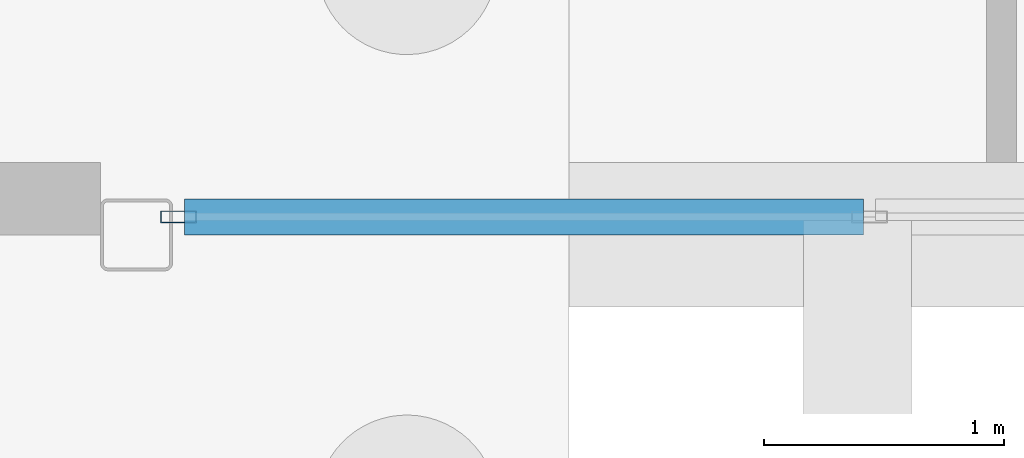
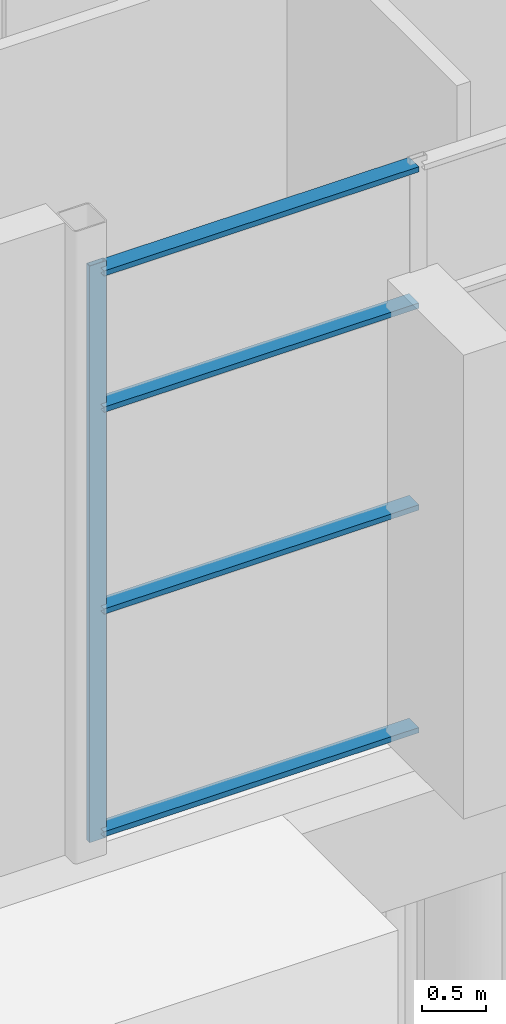
# One storey, part 38 of 139: 5 members, 1 element without a shape of its own.
"""IFC4 building model written with IfcOpenShell, lengths in metres."""

from ifc_helpers import new_model, si_unit, direction, frame, origin, origin_2d, place, context, subcontext, project, spatial, hollow_rectangle, extrude, material, layer, layer_set, material_profile, profile_set, type_object, element, aggregate, save


model = new_model("IFC4")

# Units and contexts
model_context = context("Model", 3, precision=1e-05, world=origin(), true_north=direction((0.0, 1.0)))
body_context = subcontext(model_context, "Body", "Model", "MODEL_VIEW")
ifc_project = project(units=[si_unit("LENGTHUNIT", "METRE"), si_unit("AREAUNIT", "SQUARE_METRE"), si_unit("VOLUMEUNIT", "CUBIC_METRE"), si_unit("PLANEANGLEUNIT", "RADIAN"), si_unit("MASSUNIT", "GRAM", prefix="KILO")], contexts=[model_context])

# Site, building, storey
site_placement = place(None, origin())
site = spatial("IfcSite", under=ifc_project, at=site_placement, CompositionType="ELEMENT")
building_placement = place(site_placement, origin())
building = spatial("IfcBuilding", under=site, at=building_placement, Name="Shorebreak Coast Museum", CompositionType="ELEMENT")
storey_placement = place(building_placement, origin())
storey = spatial("IfcBuildingStorey", under=building, at=storey_placement, Name="L00", CompositionType="ELEMENT", Elevation=0.0)

# Curtain wall, members
ifc_material_1 = material(Name="Aluminium", Category="aluminium")
ifc_layer = layer(ifc_material_1, 0.14990234375)
ifc_layer_set = layer_set([ifc_layer], Name="Aluminium")
curtain_wall_type = type_object("IfcCurtainWallType", Name="Storefront curtain wall", PredefinedType="NOTDEFINED", material=ifc_layer_set)
curtain_wall_placement = place(storey_placement, origin())
curtain_wall = element("IfcCurtainWall", 1, at=curtain_wall_placement, inside=storey, type_object=curtain_wall_type, Name="Storefront L00 S 7", PredefinedType="NOTDEFINED")
ifc_material_2 = material(Name="Aluminium", Category="aluminium")
ifc_material_profile_1 = material_profile(ifc_material_2, hollow_rectangle(XDim=0.050048828125, YDim=0.14990234375, WallThickness=0.00390625, at=origin_2d()), Name="AL 150x50 RHS")
ifc_profile_set_1 = profile_set([ifc_material_profile_1], Name="Aluminium")
member_type_1 = type_object("IfcMemberType", Name="Storefront mullion 50 x 150", PredefinedType="MULLION", material=ifc_profile_set_1)
member_1_placement = place(storey_placement, frame((9.175048828125, 54.074951171875, 0.0), z_axis=(0.0, 0.0, 1.0), x_axis=(0.0, 1.0, 0.0)))
member_1 = element("IfcMember", 2, at=member_1_placement, type_object=member_type_1, Name="CW8 mullion 1", PredefinedType="MULLION", context=body_context, shape_type="SweptSolid", body=[
    extrude(hollow_rectangle(XDim=0.050048828125, YDim=0.14990234375, WallThickness=0.00390625, at=origin_2d()), origin(), (0.0, 0.0, 1.0), 5.469482421875),
])
ifc_material_3 = material(Name="Aluminium", Category="aluminium")
ifc_material_profile_2 = material_profile(ifc_material_3, hollow_rectangle(XDim=0.14990234375, YDim=0.050048828125, WallThickness=0.00390625, at=origin_2d()), Name="AL 50x150 RHS")
ifc_profile_set_2 = profile_set([ifc_material_profile_2], Name="Aluminium")
member_type_2 = type_object("IfcMemberType", Name="Storefront transom 150 x 50", PredefinedType="USERDEFINED", material=ifc_profile_set_2)
member_2_placement = place(storey_placement, frame((9.199951171875, 54.074951171875, 0.074951171875), z_axis=(1.0, 0.0, 0.0), x_axis=(0.0, 1.0, 0.0)))
member_2 = element("IfcMember", 3, at=member_2_placement, type_object=member_type_2, Name="CW8 transom 1.1", ObjectType="TRANSOM", PredefinedType="USERDEFINED", context=body_context, shape_type="SweptSolid", body=[
    extrude(hollow_rectangle(XDim=0.14990234375, YDim=0.050048828125, WallThickness=0.00390625, at=origin_2d()), origin(), (0.0, 0.0, 1.0), 2.824951171875),
])
member_3_placement = place(storey_placement, frame((9.199951171875, 54.074951171875, 2.187744140625), z_axis=(1.0, 0.0, 0.0), x_axis=(0.0, 1.0, 0.0)))
member_3 = element("IfcMember", 4, at=member_3_placement, type_object=member_type_2, Name="CW8 transom 1.2", ObjectType="TRANSOM", PredefinedType="USERDEFINED", context=body_context, shape_type="SweptSolid", body=[
    extrude(hollow_rectangle(XDim=0.14990234375, YDim=0.050048828125, WallThickness=0.00390625, at=origin_2d()), origin(), (0.0, 0.0, 1.0), 2.824951171875),
])
member_4_placement = place(storey_placement, frame((9.199951171875, 54.074951171875, 4.10205078125), z_axis=(1.0, 0.0, 0.0), x_axis=(0.0, 1.0, 0.0)))
member_4 = element("IfcMember", 5, at=member_4_placement, type_object=member_type_2, Name="CW8 transom 1.3", ObjectType="TRANSOM", PredefinedType="USERDEFINED", context=body_context, shape_type="SweptSolid", body=[
    extrude(hollow_rectangle(XDim=0.14990234375, YDim=0.050048828125, WallThickness=0.00390625, at=origin_2d()), origin(), (0.0, 0.0, 1.0), 2.824951171875),
])
member_5_placement = place(storey_placement, frame((9.199951171875, 54.074951171875, 5.394287109375), z_axis=(1.0, 0.0, 0.0), x_axis=(0.0, 1.0, 0.0)))
member_5 = element("IfcMember", 6, at=member_5_placement, type_object=member_type_2, Name="CW8 transom 1.4", ObjectType="TRANSOM", PredefinedType="USERDEFINED", context=body_context, shape_type="SweptSolid", body=[
    extrude(hollow_rectangle(XDim=0.14990234375, YDim=0.050048828125, WallThickness=0.00390625, at=origin_2d()), origin(), (0.0, 0.0, 1.0), 2.824951171875),
])
aggregate(curtain_wall, [member_1, member_2, member_3, member_4, member_5])

save(model, "model.ifc")
